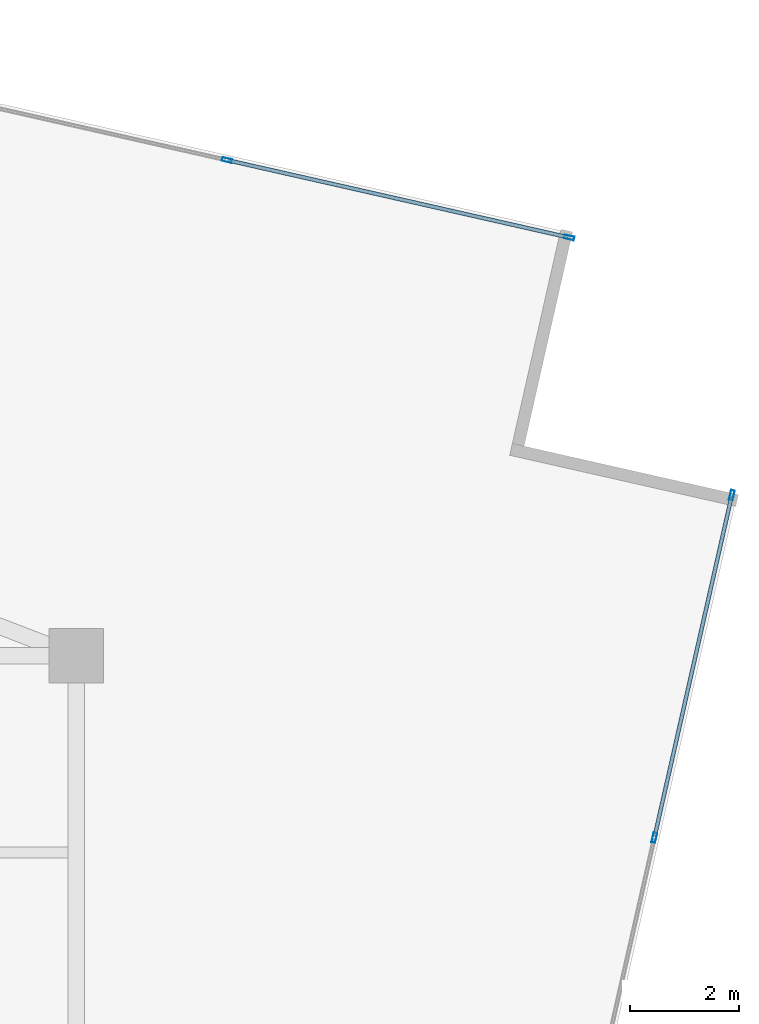
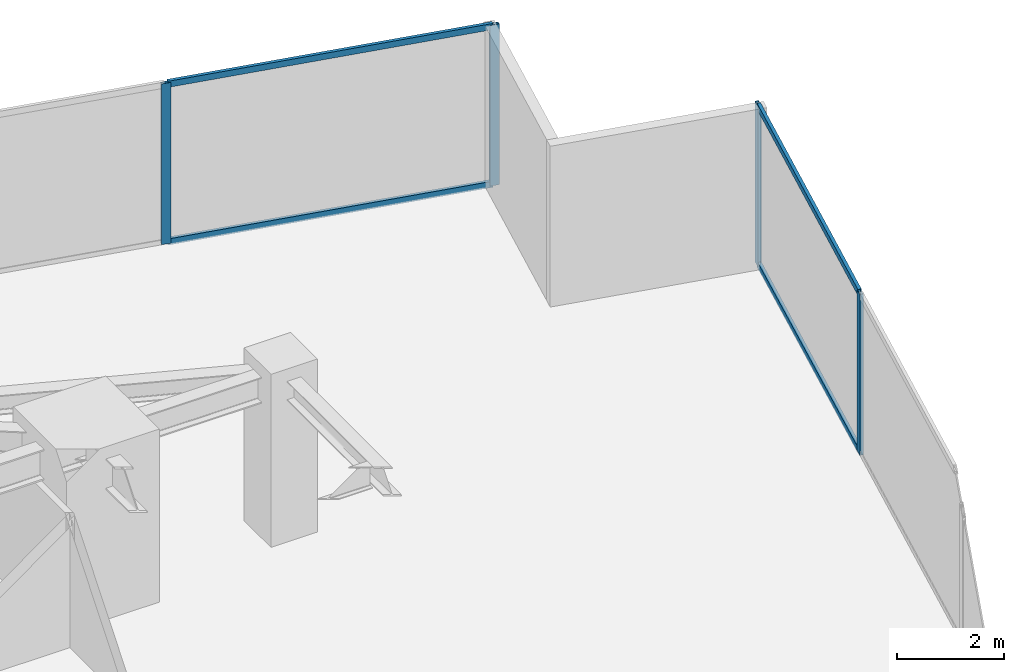
# One storey, part 20 of 26: 8 members, 2 elements without a shape of their own.
"""IFC4 building model written with IfcOpenShell, lengths in metres."""

from ifc_helpers import new_model, si_unit, direction, frame, origin, origin_2d, place, context, subcontext, project, spatial, hollow_rectangle, extrude, source, transform, mapped, material, material_profile, profile_set, type_object, type_shapes, element, aggregate, save


model = new_model("IFC4")

# Units and contexts
model_context = context("Model", 3, precision=1e-05, world=origin(), true_north=direction((0.0, 1.0)))
body_context = subcontext(model_context, "Body", "Model", "MODEL_VIEW")
ifc_project = project(units=[si_unit("LENGTHUNIT", "METRE"), si_unit("AREAUNIT", "SQUARE_METRE"), si_unit("VOLUMEUNIT", "CUBIC_METRE"), si_unit("PLANEANGLEUNIT", "RADIAN"), si_unit("MASSUNIT", "GRAM", prefix="KILO")], contexts=[model_context])

# Site, building, storey
site_placement = place(None, origin())
site = spatial("IfcSite", under=ifc_project, at=site_placement, CompositionType="ELEMENT")
building_placement = place(site_placement, origin())
building = spatial("IfcBuilding", under=site, at=building_placement, Name="Krantzveldt Concourse Tower", CompositionType="ELEMENT")
storey_placement = place(building_placement, frame((0.0, 0.0, 90.050048828125)))
storey = spatial("IfcBuildingStorey", under=building, at=storey_placement, Name="L21", CompositionType="ELEMENT", Elevation=90.050048828125)

# Curtain wall, members
ifc_material = material(Name="Anodised aluminium 6063-T6", Category="aluminium")
curtain_wall_type = type_object("IfcCurtainWallType", Name="CW2", PredefinedType="USERDEFINED", material=ifc_material)
curtain_wall_1_placement = place(storey_placement, origin())
curtain_wall_1 = element("IfcCurtainWall", 1, at=curtain_wall_1_placement, inside=storey, type_object=curtain_wall_type, Name="CW-L21-F07", ObjectType="UNITISED CURTAIN WALL", PredefinedType="USERDEFINED")
ifc_material_profile_1 = material_profile(ifc_material, hollow_rectangle(XDim=0.070068359375, YDim=0.179931640625, WallThickness=0.0048828125, at=origin_2d()), Name="Anodised aluminium 6063-T6", Category="aluminium")
ifc_profile_set_1 = profile_set([ifc_material_profile_1], Name="Anodised aluminium 6063-T6 - ALU-MULL 180x70x5")
member_type_1 = type_object("IfcMemberType", Name="CW-MUL-180", PredefinedType="MULLION", material=ifc_profile_set_1)
shared_shape_1 = source(origin(), body_context, "Body", "SweptSolid", [
    extrude(hollow_rectangle(XDim=0.070068359375, YDim=0.179931640625, WallThickness=0.0048828125, at=origin_2d()), origin(), (0.0, 0.0, 1.0), 3.669921875),
])
type_shapes(member_type_1, [shared_shape_1])
member_1_placement = place(storey_placement, frame((61.589599609375, 34.169921875, 0.0), z_axis=(0.0, 0.0, 1.0), x_axis=(-0.975342320609, 0.220697434579, 0.0)))
member_1 = element("IfcMember", 2, at=member_1_placement, type_object=member_type_1, Name="CW-Z12 mullion 6", PredefinedType="MULLION", context=body_context, shape_type="MappedRepresentation", body=[
    mapped(shared_shape_1, transform((0.0, 0.0, 0.0), x_axis=(1.0, 0.0, 0.0), y_axis=(0.0, 1.0, 0.0), z_axis=(0.0, 0.0, 1.0), scale=1.0)),
])
member_2_placement = place(storey_placement, frame((63.009033203125, 40.443115234375, 0.0), z_axis=(0.0, 0.0, 1.0), x_axis=(-0.975342320609, 0.220697434579, 0.0)))
member_2 = element("IfcMember", 3, at=member_2_placement, type_object=member_type_1, Name="CW-Z12 mullion 7", PredefinedType="MULLION", context=body_context, shape_type="MappedRepresentation", body=[
    mapped(shared_shape_1, transform((0.0, 0.0, 0.0), x_axis=(1.0, 0.0, 0.0), y_axis=(0.0, 1.0, 0.0), z_axis=(0.0, 0.0, 1.0), scale=1.0)),
])

curtain_wall_2_placement = place(storey_placement, origin())
curtain_wall_2 = element("IfcCurtainWall", 4, at=curtain_wall_2_placement, inside=storey, type_object=curtain_wall_type, Name="CW-L21-F10", ObjectType="UNITISED CURTAIN WALL", PredefinedType="USERDEFINED")
member_3_placement = place(storey_placement, frame((60.031982421875, 45.161376953125, 0.0), z_axis=(0.0, 0.0, 1.0), x_axis=(-0.220697434579, -0.975342320609, 0.0)))
member_3 = element("IfcMember", 5, at=member_3_placement, type_object=member_type_1, Name="CW-Z12 mullion 1", PredefinedType="MULLION", context=body_context, shape_type="MappedRepresentation", body=[
    mapped(shared_shape_1, transform((0.0, 0.0, 0.0), x_axis=(1.0, 0.0, 0.0), y_axis=(0.0, 1.0, 0.0), z_axis=(0.0, 0.0, 1.0), scale=1.0)),
])
member_4_placement = place(storey_placement, frame((53.7587890625, 46.580810546875, 0.0), z_axis=(0.0, 0.0, 1.0), x_axis=(-0.220697434579, -0.975342320609, 0.0)))
member_4 = element("IfcMember", 6, at=member_4_placement, type_object=member_type_1, Name="CW-Z12 mullion 2", PredefinedType="MULLION", context=body_context, shape_type="MappedRepresentation", body=[
    mapped(shared_shape_1, transform((0.0, 0.0, 0.0), x_axis=(1.0, 0.0, 0.0), y_axis=(0.0, 1.0, 0.0), z_axis=(0.0, 0.0, 1.0), scale=1.0)),
])

# Member
ifc_material_profile_2 = material_profile(ifc_material, hollow_rectangle(XDim=0.070068359375, YDim=0.139892578125, WallThickness=0.0048828125, at=origin_2d()), Name="Anodised aluminium 6063-T6", Category="aluminium")
ifc_profile_set_2 = profile_set([ifc_material_profile_2], Name="Anodised aluminium 6063-T6 - ALU-TRAN 140x70x5")
member_type_2 = type_object("IfcMemberType", Name="CW-TRN-150", PredefinedType="USERDEFINED", material=ifc_profile_set_2)
shared_shape_2 = source(origin(), body_context, "Body", "SweptSolid", [
    extrude(hollow_rectangle(XDim=0.070068359375, YDim=0.139892578125, WallThickness=0.0048828125, at=origin_2d()), origin(), (0.0, 0.0, 1.0), 6.361572265625),
])
member_5_placement = place(storey_placement, frame((61.597412109375, 34.2041015625, 0.034912109375), z_axis=(0.220667229594, 0.975349154807, 0.0), x_axis=(-0.975349154807, 0.220667229594, 0.0)))
member_5 = element("IfcMember", 7, at=member_5_placement, type_object=member_type_2, Name="CW-Z12 transom 6.1", ObjectType="TRANSOM", PredefinedType="USERDEFINED", context=body_context, shape_type="MappedRepresentation", body=[
    mapped(shared_shape_2, transform((0.0, 0.0, 0.0), x_axis=(1.0, 0.0, 0.0), y_axis=(0.0, 1.0, 0.0), z_axis=(0.0, 0.0, 1.0), scale=1.0)),
])

member_6_placement = place(storey_placement, frame((61.597412109375, 34.2041015625, 3.635009765625), z_axis=(0.220667229594, 0.975349154807, 0.0), x_axis=(-0.975349154807, 0.220667229594, 0.0)))
member_6 = element("IfcMember", 8, at=member_6_placement, type_object=member_type_2, Name="CW-Z12 transom 6.2", ObjectType="TRANSOM", PredefinedType="USERDEFINED", context=body_context, shape_type="MappedRepresentation", body=[
    mapped(shared_shape_2, transform((0.0, 0.0, 0.0), x_axis=(1.0, 0.0, 0.0), y_axis=(0.0, 1.0, 0.0), z_axis=(0.0, 0.0, 1.0), scale=1.0)),
])

aggregate(curtain_wall_1, [member_1, member_2, member_5, member_6])

shared_shape_3 = source(origin(), body_context, "Body", "SweptSolid", [
    extrude(hollow_rectangle(XDim=0.070068359375, YDim=0.139892578125, WallThickness=0.0048828125, at=origin_2d()), origin(), (0.0, 0.0, 1.0), 6.36181640625),
])
type_shapes(member_type_2, [shared_shape_2, shared_shape_3])
member_7_placement = place(storey_placement, frame((59.997802734375, 45.169189453125, 0.034912109375), z_axis=(-0.975340894424, 0.220703737314, 0.0), x_axis=(-0.220703737314, -0.975340894424, 0.0)))
member_7 = element("IfcMember", 9, at=member_7_placement, type_object=member_type_2, Name="CW-Z12 transom 1.1", ObjectType="TRANSOM", PredefinedType="USERDEFINED", context=body_context, shape_type="MappedRepresentation", body=[
    mapped(shared_shape_3, transform((0.0, 0.0, 0.0), x_axis=(1.0, 0.0, 0.0), y_axis=(0.0, 1.0, 0.0), z_axis=(0.0, 0.0, 1.0), scale=1.0)),
])

member_8_placement = place(storey_placement, frame((59.997802734375, 45.169189453125, 3.635009765625), z_axis=(-0.975340894424, 0.220703737314, 0.0), x_axis=(-0.220703737314, -0.975340894424, 0.0)))
member_8 = element("IfcMember", 10, at=member_8_placement, type_object=member_type_2, Name="CW-Z12 transom 1.2", ObjectType="TRANSOM", PredefinedType="USERDEFINED", context=body_context, shape_type="MappedRepresentation", body=[
    mapped(shared_shape_3, transform((0.0, 0.0, 0.0), x_axis=(1.0, 0.0, 0.0), y_axis=(0.0, 1.0, 0.0), z_axis=(0.0, 0.0, 1.0), scale=1.0)),
])

aggregate(curtain_wall_2, [member_3, member_4, member_7, member_8])

save(model, "model.ifc")
